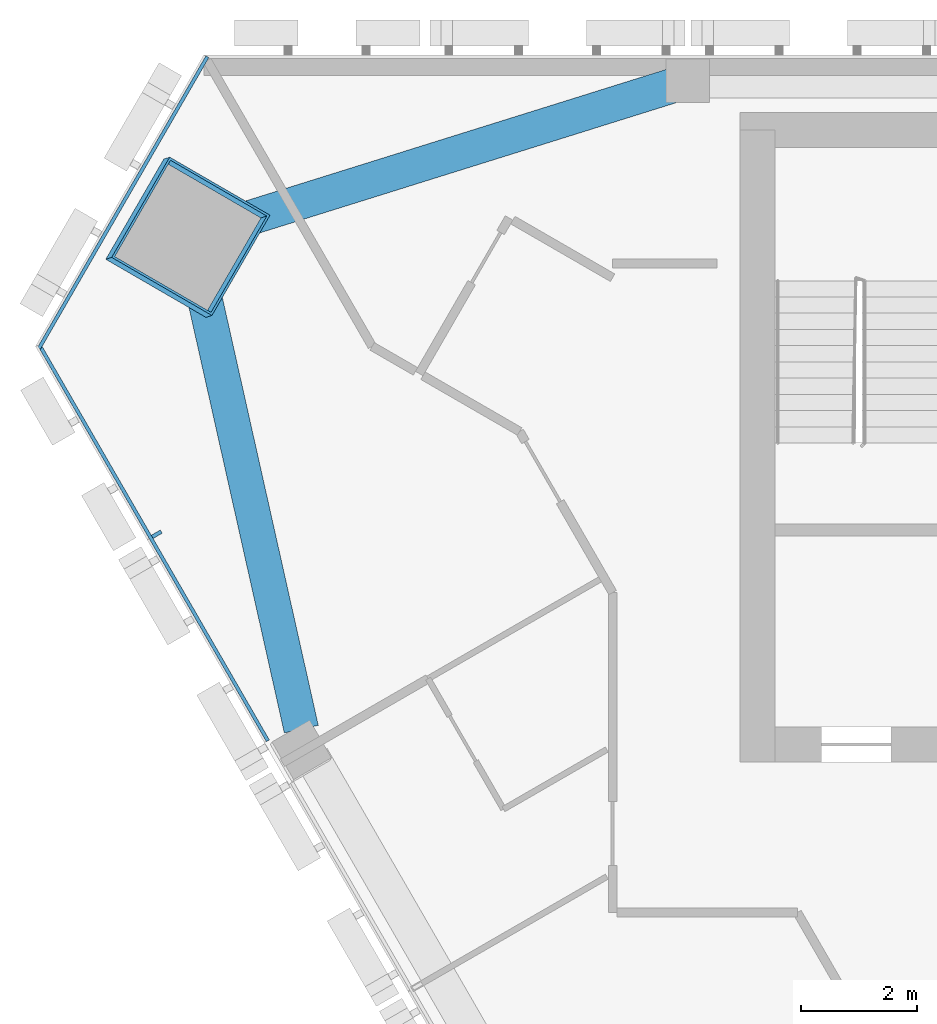
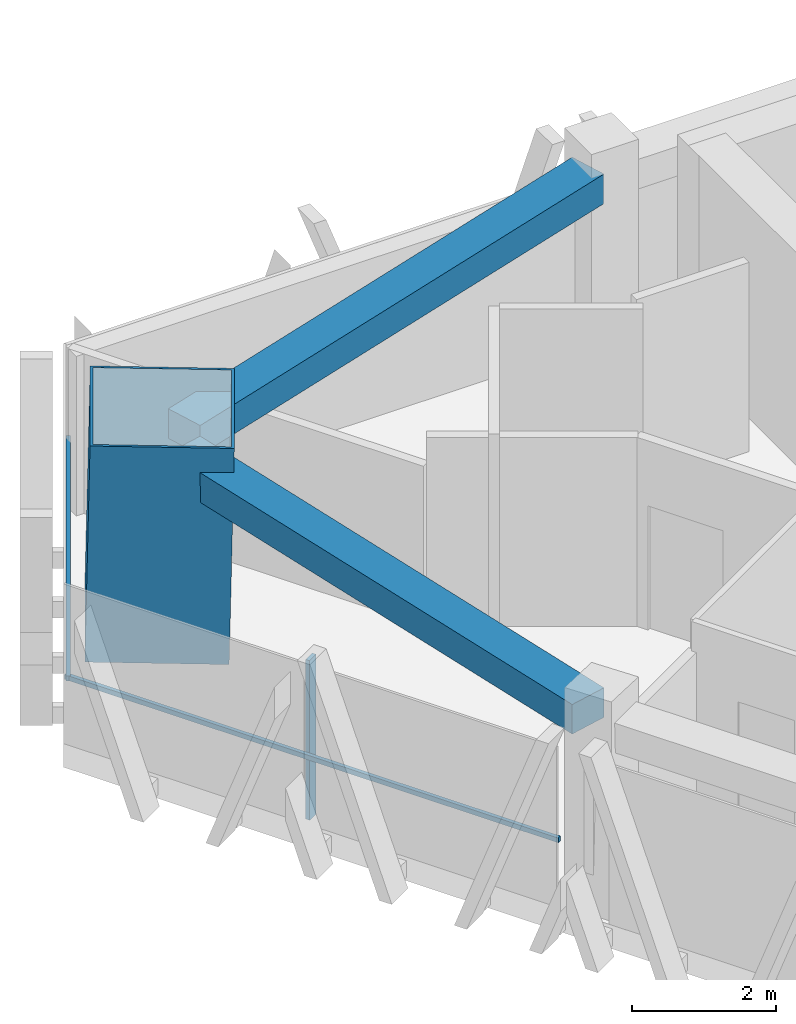
# One storey, part 5 of 14: 4 members, 2 beams, 2 elements without a shape of their own.
"""IFC4 building model written with IfcOpenShell, lengths in metres."""

from ifc_helpers import new_model, si_unit, direction, frame, origin, origin_2d, place, context, subcontext, project, spatial, rectangle, hollow_rectangle, extrude, material, layer, layer_set, material_profile, profile_set, type_object, element, aggregate, save


model = new_model("IFC4")

# Units and contexts
model_context = context("Model", 3, precision=1e-05, world=origin(), true_north=direction((0.0, 1.0)))
body_context = subcontext(model_context, "Body", "Model", "MODEL_VIEW")
ifc_project = project(units=[si_unit("LENGTHUNIT", "METRE"), si_unit("AREAUNIT", "SQUARE_METRE"), si_unit("VOLUMEUNIT", "CUBIC_METRE"), si_unit("PLANEANGLEUNIT", "RADIAN"), si_unit("MASSUNIT", "GRAM", prefix="KILO")], contexts=[model_context])

# Site, building, storey
site_placement = place(None, origin())
site = spatial("IfcSite", under=ifc_project, at=site_placement, CompositionType="ELEMENT")
building_placement = place(site_placement, origin())
building = spatial("IfcBuilding", under=site, at=building_placement, Name="Altiplano Prism Tower", CompositionType="ELEMENT")
storey_placement = place(building_placement, frame((0.0, 0.0, 223.0)))
storey = spatial("IfcBuildingStorey", under=building, at=storey_placement, Name="L57", CompositionType="ELEMENT", Elevation=223.0)

# Curtain wall, member
ifc_material_1 = material(Name="Aluminium and glass", Category="aluminium")
ifc_layer = layer(ifc_material_1, 0.280029296875)
ifc_layer_set = layer_set([ifc_layer], Name="Aluminium and glass")
curtain_wall_type = type_object("IfcCurtainWallType", Name="CW1 typical co-living unitised curtain wall", PredefinedType="NOTDEFINED", material=ifc_layer_set)
curtain_wall_1_placement = place(storey_placement, origin())
curtain_wall_1 = element("IfcCurtainWall", 1, at=curtain_wall_1_placement, inside=storey, type_object=curtain_wall_type, Name="CW1 curtain wall south-west face L57", PredefinedType="NOTDEFINED")
ifc_material_2 = material(Name="Aluminium", Category="aluminium")
ifc_material_profile_1 = material_profile(ifc_material_2, rectangle(XDim=0.179931640625, YDim=0.06494140625, at=origin_2d()), Name="CW1 mullion 65 x 180")
ifc_profile_set_1 = profile_set([ifc_material_profile_1], Name="Aluminium")
member_type_1 = type_object("IfcMemberType", Name="CW1 mullion 65 x 180", PredefinedType="MULLION", material=ifc_profile_set_1)
member_1_placement = place(storey_placement, frame((62.3330078125, 96.7265625, 0.0), z_axis=(0.0, 0.0, 1.0), x_axis=(0.866025408567, 0.499999991717, 0.0)))
member_1 = element("IfcMember", 2, at=member_1_placement, type_object=member_type_1, Name="CW1 mullion", PredefinedType="MULLION", context=body_context, shape_type="SweptSolid", body=[
    extrude(rectangle(XDim=0.179931640625, YDim=0.06494140625, at=origin_2d()), origin(), (0.0, 0.0, 1.0), 2.699951171875),
])

curtain_wall_2_placement = place(storey_placement, origin())
curtain_wall_2 = element("IfcCurtainWall", 3, at=curtain_wall_2_placement, inside=storey, type_object=curtain_wall_type, Name="CW1 curtain wall north-west chamfer L57", PredefinedType="NOTDEFINED")
ifc_material_profile_2 = material_profile(ifc_material_2, rectangle(XDim=0.06005859375, YDim=0.080078125, at=origin_2d()), Name="CW1 transom 80 x 60")
ifc_profile_set_2 = profile_set([ifc_material_profile_2], Name="Aluminium")
member_type_2 = type_object("IfcMemberType", Name="CW1 transom 80 x 60", PredefinedType="USERDEFINED", material=ifc_profile_set_2)
member_2_placement = place(storey_placement, frame((63.20703125, 104.965087890625, 1.10009765625), z_axis=(-0.499998917442, -0.866026028799, 0.0), x_axis=(0.866026028799, -0.499998917442, 0.0)))
member_2 = element("IfcMember", 4, at=member_2_placement, type_object=member_type_2, Name="CW1 transom", ObjectType="TRANSOM", PredefinedType="USERDEFINED", context=body_context, shape_type="SweptSolid", body=[
    extrude(rectangle(XDim=0.06005859375, YDim=0.080078125, at=origin_2d()), origin(), (0.0, 0.0, 1.0), 5.8095703125),
])
aggregate(curtain_wall_2, [member_2])

# Member
member_3_placement = place(storey_placement, frame((60.30224609375, 100.00390625, 1.10009765625), z_axis=(0.499991781437, -0.866030148722, 0.0), x_axis=(0.866030148722, 0.499991781437, 0.0)))
member_3 = element("IfcMember", 5, at=member_3_placement, type_object=member_type_2, Name="CW1 transom", ObjectType="TRANSOM", PredefinedType="USERDEFINED", context=body_context, shape_type="SweptSolid", body=[
    extrude(rectangle(XDim=0.06005859375, YDim=0.080078125, at=origin_2d()), origin(), (0.0, 0.0, 1.0), 7.899169921875),
])

aggregate(curtain_wall_1, [member_1, member_3])

# Beams
ifc_material_3 = material(Name="Concrete C60/75", Category="concrete")
ifc_material_profile_3 = material_profile(ifc_material_3, rectangle(XDim=0.60009765625, YDim=0.5, at=origin_2d()), Name="Edge beam 600x500")
ifc_profile_set_3 = profile_set([ifc_material_profile_3], Name="Concrete C60/75")
beam_type = type_object("IfcBeamType", Name="Edge beam 600x500", PredefinedType="SPANDREL", material=ifc_profile_set_3)
beam_1_placement = place(storey_placement, frame((71.239501953125, 104.468505859375, 2.949951171875), z_axis=(-0.954434236372, -0.298421327055, 0.0), x_axis=(0.298421327055, -0.954434236372, 0.0)))
element("IfcBeam", 6, at=beam_1_placement, inside=storey, type_object=beam_type, Name="Edge beam P04-M0 L58", PredefinedType="SPANDREL", context=body_context, shape_type="SweptSolid", body=[
    extrude(rectangle(XDim=0.60009765625, YDim=0.5, at=origin_2d()), origin(), (0.0, 0.0, 1.0), 8.264404296875),
])
beam_2_placement = place(storey_placement, frame((63.0205078125, 101.4287109375, 2.949951171875), z_axis=(0.218747343492, -0.97578153278, 0.0), x_axis=(0.97578153278, 0.218747343492, 0.0)))
element("IfcBeam", 7, at=beam_2_placement, inside=storey, type_object=beam_type, Name="Edge beam M0-P11 L58", PredefinedType="SPANDREL", context=body_context, shape_type="SweptSolid", body=[
    extrude(rectangle(XDim=0.60009765625, YDim=0.5, at=origin_2d()), origin(), (0.0, 0.0, 1.0), 8.2646484375),
])

# Member
ifc_material_4 = material(Name="Steel S460", Category="steel")
ifc_material_profile_4 = material_profile(ifc_material_4, hollow_rectangle(XDim=2.0, YDim=2.0, WallThickness=0.0400390625, at=origin_2d()), Name="Mega column tube 2000")
ifc_profile_set_4 = profile_set([ifc_material_profile_4], Name="Steel S460")
member_type_3 = type_object("IfcMemberType", Name="Mega column tube 2000", PredefinedType="POST", material=ifc_profile_set_4)
member_4_placement = place(storey_placement, frame((62.81982421875, 101.83447265625, 0.0), z_axis=(0.028401814599, 0.009218727412, 0.999554076572), x_axis=(-0.865124501984, 0.501159851198, 0.019959950262)))
element("IfcMember", 8, at=member_4_placement, inside=storey, type_object=member_type_3, Name="Mega column tube M0 L57", PredefinedType="POST", context=body_context, shape_type="SweptSolid", body=[
    extrude(hollow_rectangle(XDim=2.0, YDim=2.0, WallThickness=0.0400390625, at=origin_2d()), origin(), (0.0, 0.0, 1.0), 3.601806640625),
])

save(model, "model.ifc")
